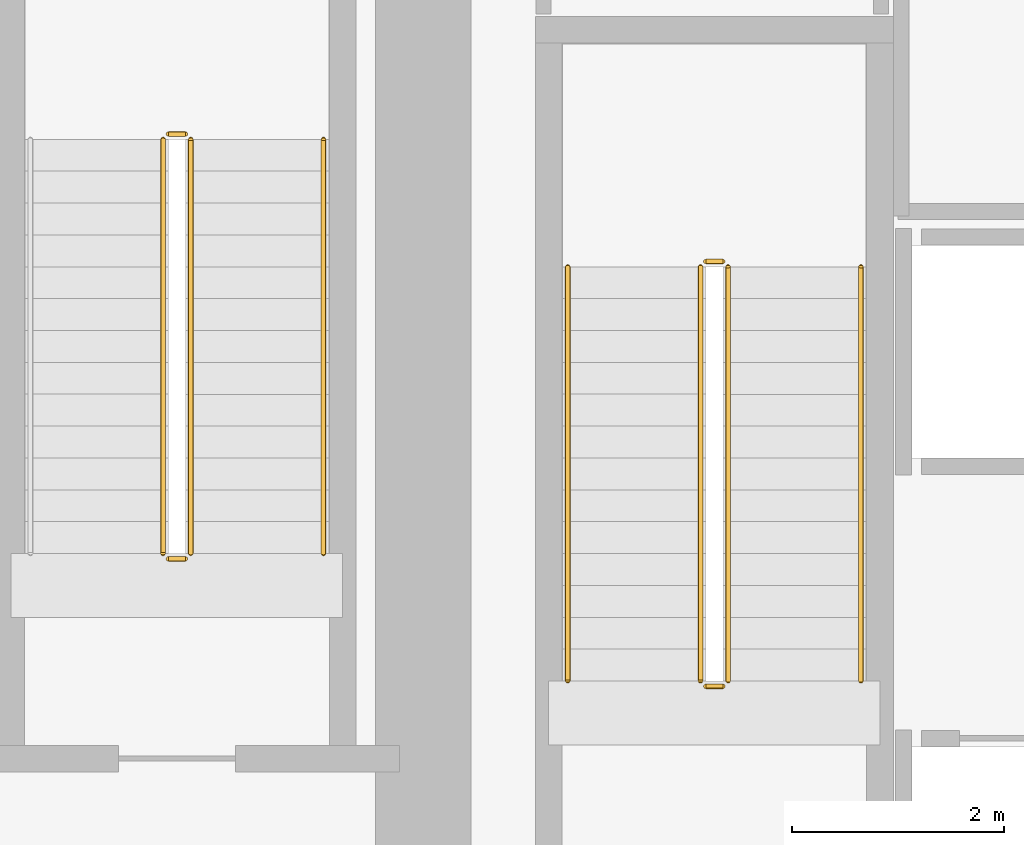
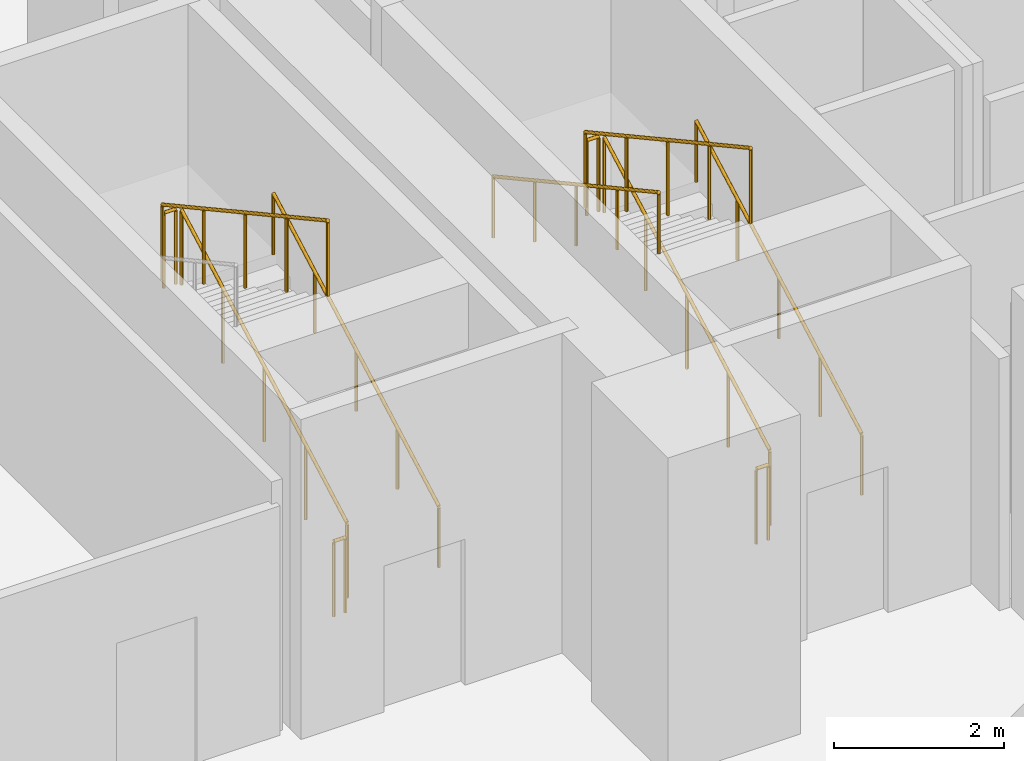
# One storey, part 17 of 20: 11 railings.
"""IFC4 building model written with IfcOpenShell, lengths in metres."""

from ifc_helpers import new_model, si_unit, direction, frame, origin, origin_2d, place, context, subcontext, project, spatial, circle, extrude, material, type_object, element, save


model = new_model("IFC4")

# Units and contexts
model_context = context("Model", 3, precision=1e-05, world=origin(), true_north=direction((0.0, 1.0)))
body_context = subcontext(model_context, "Body", "Model", "MODEL_VIEW")
ifc_project = project(units=[si_unit("LENGTHUNIT", "METRE"), si_unit("AREAUNIT", "SQUARE_METRE"), si_unit("VOLUMEUNIT", "CUBIC_METRE"), si_unit("PLANEANGLEUNIT", "RADIAN"), si_unit("MASSUNIT", "GRAM", prefix="KILO")], contexts=[model_context])

# Site, building, storey
site_placement = place(None, origin())
site = spatial("IfcSite", under=ifc_project, at=site_placement, CompositionType="ELEMENT")
building_placement = place(site_placement, origin())
building = spatial("IfcBuilding", under=site, at=building_placement, Name="Solvane Sanctuary Tower", CompositionType="ELEMENT")
storey_placement = place(building_placement, frame((0.0, 0.0, 9.199951171875)))
storey = spatial("IfcBuildingStorey", under=building, at=storey_placement, Name="L03", CompositionType="ELEMENT", Elevation=9.199951171875)

# Railings
ifc_material = material(Name="Architectural Stainless Steel 316", Category="steel")
railing_type_1 = type_object("IfcRailingType", Name="Railing GR-BALC-1150", PredefinedType="BALUSTRADE", material=ifc_material)
railing_1_placement = place(storey_placement, frame((17.919921875, 19.699951171875, 0.164306640625)))
element("IfcRailing", 1, at=railing_1_placement, inside=storey, type_object=railing_type_1, Name="L03 ST-1 stair guard 1", PredefinedType="BALUSTRADE", context=body_context, shape_type="SweptSolid", body=[
    extrude(circle(Radius=0.02392578125, at=origin_2d()), frame((0.0, 0.0, 1.076171875), z_axis=(0.0, 0.877101224295, 0.480305571839), x_axis=(-1.0, 0.0, 0.0)), (0.0, 0.0, 1.0), 4.446533203125),
    extrude(circle(Radius=0.02099609375, at=origin_2d()), origin(), (0.0, 0.0, 1.0), 1.052001953125),
    extrude(circle(Radius=0.02099609375, at=origin_2d()), frame((0.0, 0.97509765625, 0.533935546875)), (0.0, 0.0, 1.0), 1.052001953125),
    extrude(circle(Radius=0.02099609375, at=origin_2d()), frame((0.0, 1.9501953125, 1.06787109375)), (0.0, 0.0, 1.0), 1.052001953125),
    extrude(circle(Radius=0.02099609375, at=origin_2d()), frame((0.0, 2.925048828125, 1.601806640625)), (0.0, 0.0, 1.0), 1.052001953125),
    extrude(circle(Radius=0.02099609375, at=origin_2d()), frame((0.0, 3.900146484375, 2.1357421875)), (0.0, 0.0, 1.0), 1.052001953125),
])
railing_2_placement = place(storey_placement, frame((17.8701171875, 23.64990234375, 2.300048828125)))
element("IfcRailing", 2, at=railing_2_placement, inside=storey, type_object=railing_type_1, Name="L03 ST-1 stair guard 2", PredefinedType="BALUSTRADE", context=body_context, shape_type="SweptSolid", body=[
    extrude(circle(Radius=0.02392578125, at=origin_2d()), frame((0.0, 0.0, 1.076171875), z_axis=(-1.0, 0.0, 0.0), x_axis=(0.0, -1.0, 0.0)), (0.0, 0.0, 1.0), 0.16015625),
    extrude(circle(Radius=0.02099609375, at=origin_2d()), origin(), (0.0, 0.0, 1.0), 1.052001953125),
    extrude(circle(Radius=0.02099609375, at=origin_2d()), frame((-0.16015625, 0.0, 0.0)), (0.0, 0.0, 1.0), 1.052001953125),
])
railing_3_placement = place(storey_placement, frame((17.659912109375, 23.60009765625, 2.46435546875)))
element("IfcRailing", 3, at=railing_3_placement, inside=storey, type_object=railing_type_1, Name="L03 ST-1 stair guard 3", PredefinedType="BALUSTRADE", context=body_context, shape_type="SweptSolid", body=[
    extrude(circle(Radius=0.02392578125, at=origin_2d()), frame((0.0, 0.0, 1.076171875), z_axis=(0.0, -0.877101224295, 0.480305571839), x_axis=(1.0, 0.0, 0.0)), (0.0, 0.0, 1.0), 4.446533203125),
    extrude(circle(Radius=0.02099609375, at=origin_2d()), origin(), (0.0, 0.0, 1.0), 1.052001953125),
    extrude(circle(Radius=0.02099609375, at=origin_2d()), frame((0.0, -0.97509765625, 0.533935546875)), (0.0, 0.0, 1.0), 1.052001953125),
    extrude(circle(Radius=0.02099609375, at=origin_2d()), frame((0.0, -1.9501953125, 1.06787109375)), (0.0, 0.0, 1.0), 1.052001953125),
    extrude(circle(Radius=0.02099609375, at=origin_2d()), frame((0.0, -2.925048828125, 1.601806640625)), (0.0, 0.0, 1.0), 1.052001953125),
    extrude(circle(Radius=0.02099609375, at=origin_2d()), frame((0.0, -3.900146484375, 2.1357421875)), (0.0, 0.0, 1.0), 1.052001953125),
])
railing_4_placement = place(storey_placement, frame((17.8701171875, 19.64990234375, 0.0)))
element("IfcRailing", 4, at=railing_4_placement, inside=storey, type_object=railing_type_1, Name="L03 ST-1 stair guard 4", PredefinedType="BALUSTRADE", context=body_context, shape_type="SweptSolid", body=[
    extrude(circle(Radius=0.02392578125, at=origin_2d()), frame((0.0, 0.0, 1.076171875), z_axis=(-1.0, 0.0, 0.0), x_axis=(0.0, -1.0, 0.0)), (0.0, 0.0, 1.0), 0.16015625),
    extrude(circle(Radius=0.02099609375, at=origin_2d()), origin(), (0.0, 0.0, 1.0), 1.052001953125),
    extrude(circle(Radius=0.02099609375, at=origin_2d()), frame((-0.16015625, 0.0, 0.0)), (0.0, 0.0, 1.0), 1.052001953125),
])
railing_5_placement = place(storey_placement, frame((12.860107421875, 20.89990234375, 0.164306640625)))
element("IfcRailing", 5, at=railing_5_placement, inside=storey, type_object=railing_type_1, Name="L03 ST-3 stair guard 1", PredefinedType="BALUSTRADE", context=body_context, shape_type="SweptSolid", body=[
    extrude(circle(Radius=0.02392578125, at=origin_2d()), frame((0.0, 0.0, 1.076171875), z_axis=(0.0, 0.877101224295, 0.480305571839), x_axis=(-1.0, 0.0, 0.0)), (0.0, 0.0, 1.0), 4.446533203125),
    extrude(circle(Radius=0.02099609375, at=origin_2d()), origin(), (0.0, 0.0, 1.0), 1.052001953125),
    extrude(circle(Radius=0.02099609375, at=origin_2d()), frame((0.0, 0.97509765625, 0.533935546875)), (0.0, 0.0, 1.0), 1.052001953125),
    extrude(circle(Radius=0.02099609375, at=origin_2d()), frame((0.0, 1.9501953125, 1.06787109375)), (0.0, 0.0, 1.0), 1.052001953125),
    extrude(circle(Radius=0.02099609375, at=origin_2d()), frame((0.0, 2.925048828125, 1.601806640625)), (0.0, 0.0, 1.0), 1.052001953125),
    extrude(circle(Radius=0.02099609375, at=origin_2d()), frame((0.0, 3.900146484375, 2.1357421875)), (0.0, 0.0, 1.0), 1.052001953125),
])
railing_6_placement = place(storey_placement, frame((12.81005859375, 24.85009765625, 2.300048828125)))
element("IfcRailing", 6, at=railing_6_placement, inside=storey, type_object=railing_type_1, Name="L03 ST-3 stair guard 2", PredefinedType="BALUSTRADE", context=body_context, shape_type="SweptSolid", body=[
    extrude(circle(Radius=0.02392578125, at=origin_2d()), frame((0.0, 0.0, 1.076171875), z_axis=(-1.0, 0.0, 0.0), x_axis=(0.0, -1.0, 0.0)), (0.0, 0.0, 1.0), 0.16015625),
    extrude(circle(Radius=0.02099609375, at=origin_2d()), origin(), (0.0, 0.0, 1.0), 1.052001953125),
    extrude(circle(Radius=0.02099609375, at=origin_2d()), frame((-0.16015625, 0.0, 0.0)), (0.0, 0.0, 1.0), 1.052001953125),
])
railing_7_placement = place(storey_placement, frame((12.60009765625, 24.800048828125, 2.46435546875)))
element("IfcRailing", 7, at=railing_7_placement, inside=storey, type_object=railing_type_1, Name="L03 ST-3 stair guard 3", PredefinedType="BALUSTRADE", context=body_context, shape_type="SweptSolid", body=[
    extrude(circle(Radius=0.02392578125, at=origin_2d()), frame((0.0, 0.0, 1.076171875), z_axis=(0.0, -0.877101224295, 0.480305571839), x_axis=(1.0, 0.0, 0.0)), (0.0, 0.0, 1.0), 4.446533203125),
    extrude(circle(Radius=0.02099609375, at=origin_2d()), origin(), (0.0, 0.0, 1.0), 1.052001953125),
    extrude(circle(Radius=0.02099609375, at=origin_2d()), frame((0.0, -0.97509765625, 0.533935546875)), (0.0, 0.0, 1.0), 1.052001953125),
    extrude(circle(Radius=0.02099609375, at=origin_2d()), frame((0.0, -1.9501953125, 1.06787109375)), (0.0, 0.0, 1.0), 1.052001953125),
    extrude(circle(Radius=0.02099609375, at=origin_2d()), frame((0.0, -2.925048828125, 1.601806640625)), (0.0, 0.0, 1.0), 1.052001953125),
    extrude(circle(Radius=0.02099609375, at=origin_2d()), frame((0.0, -3.900146484375, 2.1357421875)), (0.0, 0.0, 1.0), 1.052001953125),
])
railing_8_placement = place(storey_placement, frame((12.81005859375, 20.85009765625, 0.0)))
element("IfcRailing", 8, at=railing_8_placement, inside=storey, type_object=railing_type_1, Name="L03 ST-3 stair guard 4", PredefinedType="BALUSTRADE", context=body_context, shape_type="SweptSolid", body=[
    extrude(circle(Radius=0.02392578125, at=origin_2d()), frame((0.0, 0.0, 1.076171875), z_axis=(-1.0, 0.0, 0.0), x_axis=(0.0, -1.0, 0.0)), (0.0, 0.0, 1.0), 0.16015625),
    extrude(circle(Radius=0.02099609375, at=origin_2d()), origin(), (0.0, 0.0, 1.0), 1.052001953125),
    extrude(circle(Radius=0.02099609375, at=origin_2d()), frame((-0.16015625, 0.0, 0.0)), (0.0, 0.0, 1.0), 1.052001953125),
])
railing_type_2 = type_object("IfcRailingType", Name="Railing HR-STAIR-920", PredefinedType="HANDRAIL", material=ifc_material)
railing_9_placement = place(storey_placement, frame((19.169921875, 19.699951171875, 0.164306640625)))
element("IfcRailing", 9, at=railing_9_placement, inside=storey, type_object=railing_type_2, Name="L03 ST-1 stair handrail 1", PredefinedType="HANDRAIL", context=body_context, shape_type="SweptSolid", body=[
    extrude(circle(Radius=0.02392578125, at=origin_2d()), frame((0.0, 0.0, 0.8759765625), z_axis=(0.0, 0.877101224295, 0.480305571839), x_axis=(-1.0, 0.0, 0.0)), (0.0, 0.0, 1.0), 4.446533203125),
    extrude(circle(Radius=0.02099609375, at=origin_2d()), origin(), (0.0, 0.0, 1.0), 0.851806640625),
    extrude(circle(Radius=0.02099609375, at=origin_2d()), frame((0.0, 0.97509765625, 0.533935546875)), (0.0, 0.0, 1.0), 0.851806640625),
    extrude(circle(Radius=0.02099609375, at=origin_2d()), frame((0.0, 1.9501953125, 1.06787109375)), (0.0, 0.0, 1.0), 0.851806640625),
    extrude(circle(Radius=0.02099609375, at=origin_2d()), frame((0.0, 2.925048828125, 1.601806640625)), (0.0, 0.0, 1.0), 0.851806640625),
    extrude(circle(Radius=0.02099609375, at=origin_2d()), frame((0.0, 3.900146484375, 2.1357421875)), (0.0, 0.0, 1.0), 0.851806640625),
])
railing_10_placement = place(storey_placement, frame((16.409912109375, 23.60009765625, 2.46435546875)))
element("IfcRailing", 10, at=railing_10_placement, inside=storey, type_object=railing_type_2, Name="L03 ST-1 stair handrail 2", PredefinedType="HANDRAIL", context=body_context, shape_type="SweptSolid", body=[
    extrude(circle(Radius=0.02392578125, at=origin_2d()), frame((0.0, 0.0, 0.8759765625), z_axis=(0.0, -0.877101224295, 0.480305571839), x_axis=(1.0, 0.0, 0.0)), (0.0, 0.0, 1.0), 4.446533203125),
    extrude(circle(Radius=0.02099609375, at=origin_2d()), origin(), (0.0, 0.0, 1.0), 0.851806640625),
    extrude(circle(Radius=0.02099609375, at=origin_2d()), frame((0.0, -0.97509765625, 0.533935546875)), (0.0, 0.0, 1.0), 0.851806640625),
    extrude(circle(Radius=0.02099609375, at=origin_2d()), frame((0.0, -1.9501953125, 1.06787109375)), (0.0, 0.0, 1.0), 0.851806640625),
    extrude(circle(Radius=0.02099609375, at=origin_2d()), frame((0.0, -2.925048828125, 1.601806640625)), (0.0, 0.0, 1.0), 0.851806640625),
    extrude(circle(Radius=0.02099609375, at=origin_2d()), frame((0.0, -3.900146484375, 2.1357421875)), (0.0, 0.0, 1.0), 0.851806640625),
])
railing_11_placement = place(storey_placement, frame((14.110107421875, 20.89990234375, 0.164306640625)))
element("IfcRailing", 11, at=railing_11_placement, inside=storey, type_object=railing_type_2, Name="L03 ST-3 stair handrail 1", PredefinedType="HANDRAIL", context=body_context, shape_type="SweptSolid", body=[
    extrude(circle(Radius=0.02392578125, at=origin_2d()), frame((0.0, 0.0, 0.8759765625), z_axis=(0.0, 0.877101224295, 0.480305571839), x_axis=(-1.0, 0.0, 0.0)), (0.0, 0.0, 1.0), 4.446533203125),
    extrude(circle(Radius=0.02099609375, at=origin_2d()), origin(), (0.0, 0.0, 1.0), 0.851806640625),
    extrude(circle(Radius=0.02099609375, at=origin_2d()), frame((0.0, 0.97509765625, 0.533935546875)), (0.0, 0.0, 1.0), 0.851806640625),
    extrude(circle(Radius=0.02099609375, at=origin_2d()), frame((0.0, 1.9501953125, 1.06787109375)), (0.0, 0.0, 1.0), 0.851806640625),
    extrude(circle(Radius=0.02099609375, at=origin_2d()), frame((0.0, 2.925048828125, 1.601806640625)), (0.0, 0.0, 1.0), 0.851806640625),
    extrude(circle(Radius=0.02099609375, at=origin_2d()), frame((0.0, 3.900146484375, 2.1357421875)), (0.0, 0.0, 1.0), 0.851806640625),
])

save(model, "model.ifc")
